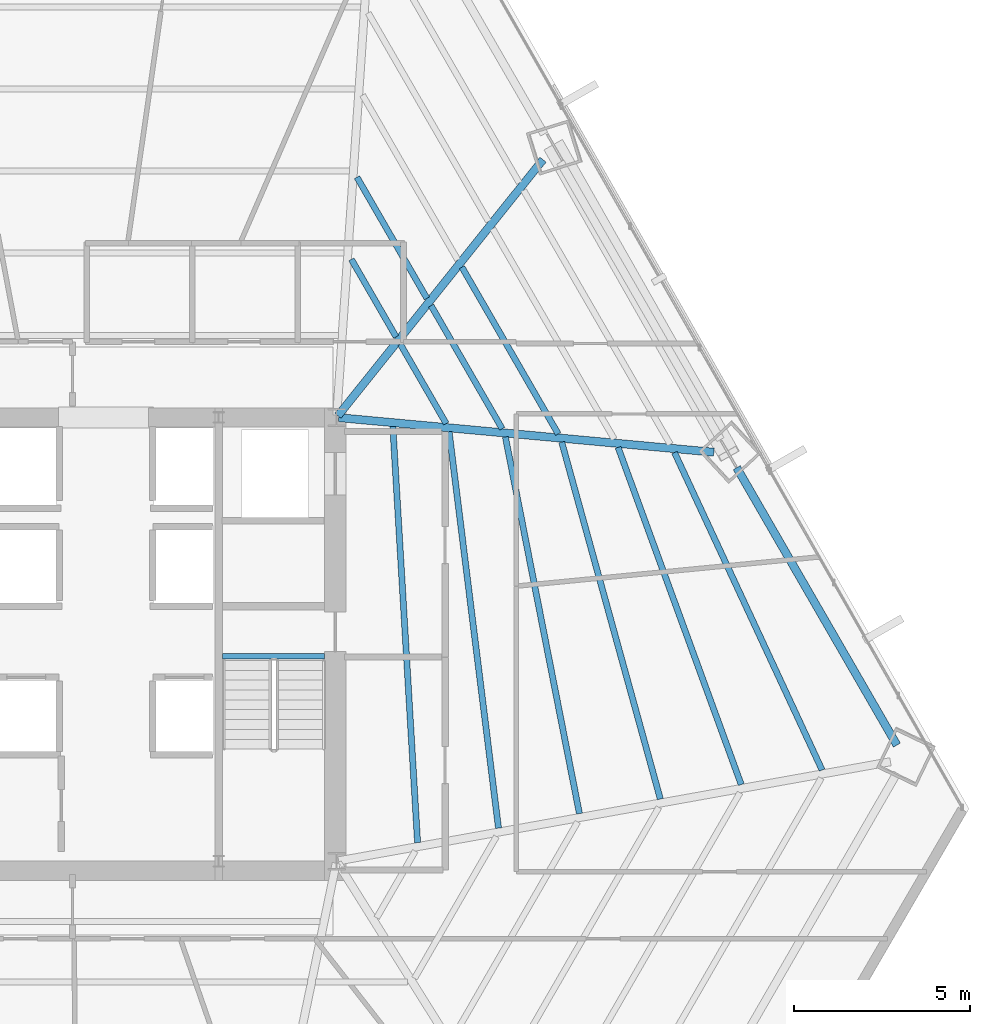
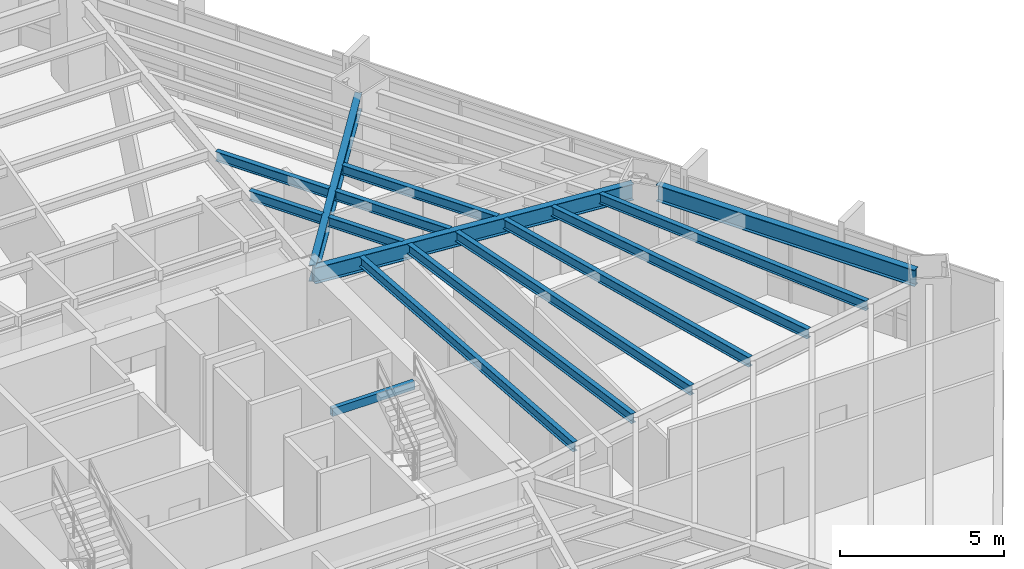
# One storey, part 20 of 35: 15 beams.
"""IFC4 building model written with IfcOpenShell, lengths in metres."""

from ifc_helpers import new_model, si_unit, direction, frame, origin, origin_2d, place, context, subcontext, project, spatial, hollow_rectangle, i_section, extrude, source, transform, mapped, material, material_profile, profile_set, type_object, type_shapes, element, save


model = new_model("IFC4")

# Units and contexts
model_context = context("Model", 3, precision=1e-05, world=origin(), true_north=direction((0.0, 1.0)))
body_context = subcontext(model_context, "Body", "Model", "MODEL_VIEW")
ifc_project = project(units=[si_unit("LENGTHUNIT", "METRE"), si_unit("AREAUNIT", "SQUARE_METRE"), si_unit("VOLUMEUNIT", "CUBIC_METRE"), si_unit("PLANEANGLEUNIT", "RADIAN"), si_unit("MASSUNIT", "GRAM", prefix="KILO")], contexts=[model_context])

# Site, building, storey
site_placement = place(None, origin())
site = spatial("IfcSite", under=ifc_project, at=site_placement, CompositionType="ELEMENT")
building_placement = place(site_placement, origin())
building = spatial("IfcBuilding", under=site, at=building_placement, Name="Caelisora Broadcast Tower", CompositionType="ELEMENT")
storey_placement = place(building_placement, frame((0.0, 0.0, 53.14990234375)))
storey = spatial("IfcBuildingStorey", under=building, at=storey_placement, Name="L13", CompositionType="ELEMENT", Elevation=53.14990234375)

# Beams
ifc_material_1 = material(Name="Steel Grade 350 (AS/NZS 1163 C350L0)", Category="steel")
ifc_material_profile_1 = material_profile(ifc_material_1, hollow_rectangle(XDim=0.14990234375, YDim=0.300048828125, WallThickness=0.010009765625, at=origin_2d()), Name="Steel Grade 350 (AS/NZS 1163 C350L0)")
ifc_profile_set_1 = profile_set([ifc_material_profile_1], Name="Steel Grade 350 (AS/NZS 1163 C350L0)")
beam_type_1 = type_object("IfcBeamType", Name="SB05", PredefinedType="JOIST", material=ifc_profile_set_1)
shared_shape_1 = source(origin(), body_context, "Body", "SweptSolid", [
    extrude(hollow_rectangle(XDim=0.14990234375, YDim=0.300048828125, WallThickness=0.010009765625, at=origin_2d()), origin(), (0.0, 0.0, 1.0), 2.89990234375),
])
type_shapes(beam_type_1, [shared_shape_1])
beam_1_placement = place(storey_placement, frame((42.260009765625, 23.219970703125, 3.25), z_axis=(1.0, 0.0, 0.0), x_axis=(0.0, 1.0, 0.0)))
element("IfcBeam", 1, at=beam_1_placement, inside=storey, type_object=beam_type_1, Name="L13 beam SB05", PredefinedType="JOIST", context=body_context, shape_type="MappedRepresentation", body=[
    mapped(shared_shape_1, transform((0.0, 0.0, 0.0), scale=1.0)),
])
ifc_material_2 = material(Name="Steel Grade 350 (AS/NZS 3679.1)", Category="steel")
ifc_material_profile_2 = material_profile(ifc_material_2, i_section(OverallWidth=0.22900390625, OverallDepth=0.611572265625, WebThickness=0.011962890625, FlangeThickness=0.01953125, at=origin_2d()), Name="Steel Grade 350 (AS/NZS 3679.1)")
ifc_profile_set_2 = profile_set([ifc_material_profile_2], Name="Steel Grade 350 (AS/NZS 3679.1)")
beam_type_2 = type_object("IfcBeamType", Name="PG03", PredefinedType="BEAM", material=ifc_profile_set_2)
shared_shape_2 = source(origin(), body_context, "Body", "SweptSolid", [
    extrude(i_section(OverallWidth=0.22900390625, OverallDepth=0.611572265625, WebThickness=0.011962890625, FlangeThickness=0.01953125, at=origin_2d()), origin(), (0.0, 0.0, 1.0), 9.09716796875),
])
type_shapes(beam_type_2, [shared_shape_2])
beam_2_placement = place(storey_placement, frame((61.40966796875, 20.696533203125, 3.09423828125), z_axis=(-0.499998124367, 0.866026486679, 0.0), x_axis=(-0.866026486679, -0.499998124367, 0.0)))
element("IfcBeam", 2, at=beam_2_placement, inside=storey, type_object=beam_type_2, Name="L13 beam PG03", PredefinedType="BEAM", context=body_context, shape_type="MappedRepresentation", body=[
    mapped(shared_shape_2, transform((0.0, 0.0, 0.0), scale=1.0)),
])
ifc_material_profile_3 = material_profile(ifc_material_2, i_section(OverallWidth=0.22802734375, OverallDepth=0.602294921875, WebThickness=0.010498046875, FlangeThickness=0.014892578125, at=origin_2d()), Name="Steel Grade 350 (AS/NZS 3679.1)")
ifc_profile_set_3 = profile_set([ifc_material_profile_3], Name="Steel Grade 350 (AS/NZS 3679.1)")
beam_type_3 = type_object("IfcBeamType", Name="PG04", PredefinedType="BEAM", material=ifc_profile_set_3)
shared_shape_3 = source(origin(), body_context, "Body", "SweptSolid", [
    extrude(i_section(OverallWidth=0.22802734375, OverallDepth=0.602294921875, WebThickness=0.010498046875, FlangeThickness=0.014892578125, at=origin_2d()), origin(), (0.0, 0.0, 1.0), 9.31689453125),
])
beam_3_placement = place(storey_placement, frame((45.53759765625, 30.046875, 3.098876953125), z_axis=(0.624941079232, 0.78067192052, 0.0), x_axis=(-0.78067192052, 0.624941079232, 0.0)))
element("IfcBeam", 3, at=beam_3_placement, inside=storey, type_object=beam_type_3, Name="L13 beam PG04", PredefinedType="BEAM", context=body_context, shape_type="MappedRepresentation", body=[
    mapped(shared_shape_3, transform((0.0, 0.0, 0.0), scale=1.0)),
])
shared_shape_4 = source(origin(), body_context, "Body", "SweptSolid", [
    extrude(i_section(OverallWidth=0.22802734375, OverallDepth=0.602294921875, WebThickness=0.010498046875, FlangeThickness=0.014892578125, at=origin_2d()), origin(), (0.0, 0.0, 1.0), 10.6982421875),
])
type_shapes(beam_type_3, [shared_shape_3, shared_shape_4])
beam_4_placement = place(storey_placement, frame((45.559814453125, 29.994384765625, 3.098876953125), z_axis=(0.995774708734, -0.091829894075, 0.0), x_axis=(0.091829894075, 0.995774708734, 0.0)))
element("IfcBeam", 4, at=beam_4_placement, inside=storey, type_object=beam_type_3, Name="L13 beam PG04", PredefinedType="BEAM", context=body_context, shape_type="MappedRepresentation", body=[
    mapped(shared_shape_4, transform((0.0, 0.0, 0.0), scale=1.0)),
])
ifc_material_profile_4 = material_profile(ifc_material_2, i_section(OverallWidth=0.172119140625, OverallDepth=0.358642578125, WebThickness=0.008056640625, FlangeThickness=0.012939453125, at=origin_2d()), Name="Steel Grade 350 (AS/NZS 3679.1)")
ifc_profile_set_4 = profile_set([ifc_material_profile_4], Name="Steel Grade 350 (AS/NZS 3679.1)")
beam_type_4 = type_object("IfcBeamType", Name="SB02", PredefinedType="JOIST", material=ifc_profile_set_4)
shared_shape_5 = source(origin(), body_context, "Body", "SweptSolid", [
    extrude(i_section(OverallWidth=0.172119140625, OverallDepth=0.358642578125, WebThickness=0.008056640625, FlangeThickness=0.012939453125, at=origin_2d()), origin(), (0.0, 0.0, 1.0), 2.54150390625),
])
beam_5_placement = place(storey_placement, frame((47.189697265625, 32.28857421875, 3.220703125), z_axis=(-0.500013496215, 0.866017611601, 0.0), x_axis=(-0.866017611601, -0.500013496215, 0.0)))
element("IfcBeam", 5, at=beam_5_placement, inside=storey, type_object=beam_type_4, Name="L13 beam SB02", PredefinedType="JOIST", context=body_context, shape_type="MappedRepresentation", body=[
    mapped(shared_shape_5, transform((0.0, 0.0, 0.0), scale=1.0)),
])
shared_shape_6 = source(origin(), body_context, "Body", "SweptSolid", [
    extrude(i_section(OverallWidth=0.172119140625, OverallDepth=0.358642578125, WebThickness=0.008056640625, FlangeThickness=0.012939453125, at=origin_2d()), origin(), (0.0, 0.0, 1.0), 3.972412109375),
])
beam_6_placement = place(storey_placement, frame((48.064208984375, 33.381103515625, 3.220703125), z_axis=(-0.499979596123, 0.866037183648, 0.0), x_axis=(-0.866037183648, -0.499979596123, 0.0)))
element("IfcBeam", 6, at=beam_6_placement, inside=storey, type_object=beam_type_4, Name="L13 beam SB02", PredefinedType="JOIST", context=body_context, shape_type="MappedRepresentation", body=[
    mapped(shared_shape_6, transform((0.0, 0.0, 0.0), scale=1.0)),
])
shared_shape_7 = source(origin(), body_context, "Body", "SweptSolid", [
    extrude(i_section(OverallWidth=0.172119140625, OverallDepth=0.358642578125, WebThickness=0.008056640625, FlangeThickness=0.012939453125, at=origin_2d()), origin(), (0.0, 0.0, 1.0), 2.60595703125),
])
beam_7_placement = place(storey_placement, frame((48.612060546875, 29.824951171875, 3.220703125), z_axis=(-0.499998180979, 0.866026453994, 0.0), x_axis=(-0.866026453994, -0.499998180979, 0.0)))
element("IfcBeam", 7, at=beam_7_placement, inside=storey, type_object=beam_type_4, Name="L13 beam SB02", PredefinedType="JOIST", context=body_context, shape_type="MappedRepresentation", body=[
    mapped(shared_shape_7, transform((0.0, 0.0, 0.0), scale=1.0)),
])
shared_shape_8 = source(origin(), body_context, "Body", "SweptSolid", [
    extrude(i_section(OverallWidth=0.172119140625, OverallDepth=0.358642578125, WebThickness=0.008056640625, FlangeThickness=0.012939453125, at=origin_2d()), origin(), (0.0, 0.0, 1.0), 4.036865234375),
])
beam_8_placement = place(storey_placement, frame((50.2021484375, 29.67822265625, 3.220703125), z_axis=(-0.500015609314, 0.866016391555, 0.0), x_axis=(-0.866016391555, -0.500015609314, 0.0)))
element("IfcBeam", 8, at=beam_8_placement, inside=storey, type_object=beam_type_4, Name="L13 beam SB02", PredefinedType="JOIST", context=body_context, shape_type="MappedRepresentation", body=[
    mapped(shared_shape_8, transform((0.0, 0.0, 0.0), scale=1.0)),
])
shared_shape_9 = source(origin(), body_context, "Body", "SweptSolid", [
    extrude(i_section(OverallWidth=0.172119140625, OverallDepth=0.358642578125, WebThickness=0.008056640625, FlangeThickness=0.012939453125, at=origin_2d()), origin(), (0.0, 0.0, 1.0), 5.468017578125),
])
beam_9_placement = place(storey_placement, frame((51.792236328125, 29.531494140625, 3.220703125), z_axis=(-0.4999710954, 0.86604209122, 0.0), x_axis=(-0.86604209122, -0.4999710954, 0.0)))
element("IfcBeam", 9, at=beam_9_placement, inside=storey, type_object=beam_type_4, Name="L13 beam SB02", PredefinedType="JOIST", context=body_context, shape_type="MappedRepresentation", body=[
    mapped(shared_shape_9, transform((0.0, 0.0, 0.0), scale=1.0)),
])
shared_shape_10 = source(origin(), body_context, "Body", "SweptSolid", [
    extrude(i_section(OverallWidth=0.172119140625, OverallDepth=0.358642578125, WebThickness=0.008056640625, FlangeThickness=0.012939453125, at=origin_2d()), origin(), (0.0, 0.0, 1.0), 11.83642578125),
])
beam_10_placement = place(storey_placement, frame((47.799072265625, 17.925537109375, 3.220703125), z_axis=(-0.059341075928, 0.998237765619, 0.0), x_axis=(-0.998237765619, -0.059341075928, 0.0)))
element("IfcBeam", 10, at=beam_10_placement, inside=storey, type_object=beam_type_4, Name="L13 beam SB02", PredefinedType="JOIST", context=body_context, shape_type="MappedRepresentation", body=[
    mapped(shared_shape_10, transform((0.0, 0.0, 0.0), scale=1.0)),
])
shared_shape_11 = source(origin(), body_context, "Body", "SweptSolid", [
    extrude(i_section(OverallWidth=0.172119140625, OverallDepth=0.358642578125, WebThickness=0.008056640625, FlangeThickness=0.012939453125, at=origin_2d()), origin(), (0.0, 0.0, 1.0), 11.342529296875),
])
beam_11_placement = place(storey_placement, frame((50.09765625, 18.33837890625, 3.220703125), z_axis=(-0.123722128228, 0.9923169025, 0.0), x_axis=(-0.9923169025, -0.123722128228, 0.0)))
element("IfcBeam", 11, at=beam_11_placement, inside=storey, type_object=beam_type_4, Name="L13 beam SB02", PredefinedType="JOIST", context=body_context, shape_type="MappedRepresentation", body=[
    mapped(shared_shape_11, transform((0.0, 0.0, 0.0), scale=1.0)),
])
shared_shape_12 = source(origin(), body_context, "Body", "SweptSolid", [
    extrude(i_section(OverallWidth=0.172119140625, OverallDepth=0.358642578125, WebThickness=0.008056640625, FlangeThickness=0.012939453125, at=origin_2d()), origin(), (0.0, 0.0, 1.0), 10.900146484375),
])
beam_12_placement = place(storey_placement, frame((52.3955078125, 18.7509765625, 3.220703125), z_axis=(-0.192914748174, 0.981215521655, 0.0), x_axis=(-0.981215521655, -0.192914748174, 0.0)))
element("IfcBeam", 12, at=beam_12_placement, inside=storey, type_object=beam_type_4, Name="L13 beam SB02", PredefinedType="JOIST", context=body_context, shape_type="MappedRepresentation", body=[
    mapped(shared_shape_12, transform((0.0, 0.0, 0.0), scale=1.0)),
])
shared_shape_13 = source(origin(), body_context, "Body", "SweptSolid", [
    extrude(i_section(OverallWidth=0.172119140625, OverallDepth=0.358642578125, WebThickness=0.008056640625, FlangeThickness=0.012939453125, at=origin_2d()), origin(), (0.0, 0.0, 1.0), 10.514892578125),
])
beam_13_placement = place(storey_placement, frame((54.69287109375, 19.16357421875, 3.220703125), z_axis=(-0.266341907714, 0.963878616941, 0.0), x_axis=(-0.963878616941, -0.266341907714, 0.0)))
element("IfcBeam", 13, at=beam_13_placement, inside=storey, type_object=beam_type_4, Name="L13 beam SB02", PredefinedType="JOIST", context=body_context, shape_type="MappedRepresentation", body=[
    mapped(shared_shape_13, transform((0.0, 0.0, 0.0), scale=1.0)),
])
shared_shape_14 = source(origin(), body_context, "Body", "SweptSolid", [
    extrude(i_section(OverallWidth=0.172119140625, OverallDepth=0.358642578125, WebThickness=0.008056640625, FlangeThickness=0.012939453125, at=origin_2d()), origin(), (0.0, 0.0, 1.0), 10.193359375),
])
beam_14_placement = place(storey_placement, frame((56.989501953125, 19.575927734375, 3.220703125), z_axis=(-0.343023502195, 0.939326821155, 0.0), x_axis=(-0.939326821155, -0.343023502195, 0.0)))
element("IfcBeam", 14, at=beam_14_placement, inside=storey, type_object=beam_type_4, Name="L13 beam SB02", PredefinedType="JOIST", context=body_context, shape_type="MappedRepresentation", body=[
    mapped(shared_shape_14, transform((0.0, 0.0, 0.0), scale=1.0)),
])
shared_shape_15 = source(origin(), body_context, "Body", "SweptSolid", [
    extrude(i_section(OverallWidth=0.172119140625, OverallDepth=0.358642578125, WebThickness=0.008056640625, FlangeThickness=0.012939453125, at=origin_2d()), origin(), (0.0, 0.0, 1.0), 9.941162109375),
])
type_shapes(beam_type_4, [shared_shape_5, shared_shape_6, shared_shape_7, shared_shape_8, shared_shape_9, shared_shape_10, shared_shape_11, shared_shape_12, shared_shape_13, shared_shape_14, shared_shape_15])
beam_15_placement = place(storey_placement, frame((59.285400390625, 19.98828125, 3.220703125), z_axis=(-0.421500186118, 0.90682831512, 0.0), x_axis=(-0.90682831512, -0.421500186118, 0.0)))
element("IfcBeam", 15, at=beam_15_placement, inside=storey, type_object=beam_type_4, Name="L13 beam SB02", PredefinedType="JOIST", context=body_context, shape_type="MappedRepresentation", body=[
    mapped(shared_shape_15, transform((0.0, 0.0, 0.0), scale=1.0)),
])

save(model, "model.ifc")
